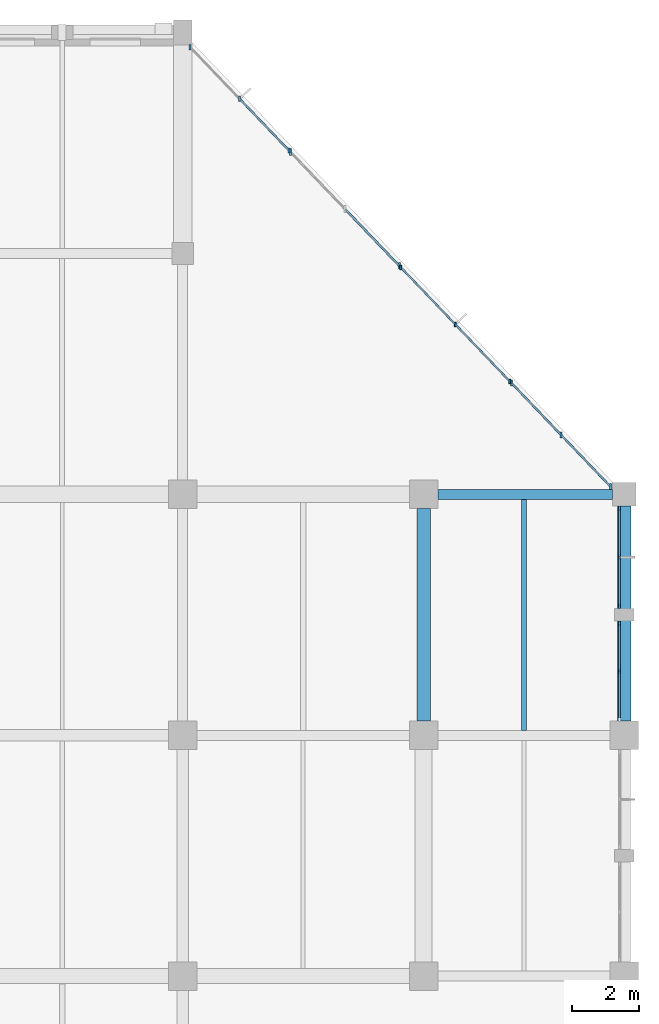
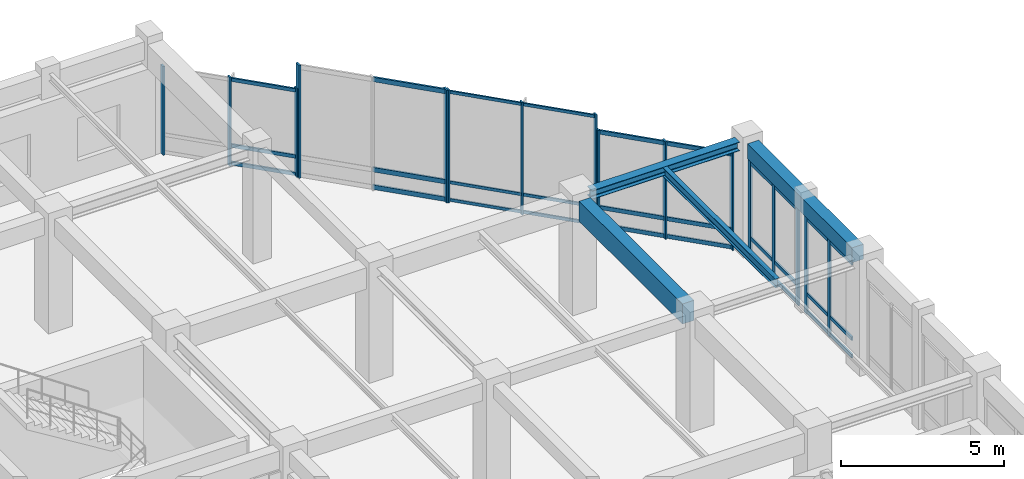
# One storey, part 29 of 62: 46 members, 4 beams, 6 elements without a shape of their own.
"""IFC4 building model written with IfcOpenShell, lengths in metres."""

from ifc_helpers import new_model, si_unit, direction, frame, origin, origin_2d, place, context, subcontext, project, spatial, rectangle, i_section, extrude, material, material_profile, profile_set, type_object, element, aggregate, save


model = new_model("IFC4")

# Units and contexts
model_context = context("Model", 3, precision=1e-05, world=origin(), true_north=direction((0.0, 1.0)))
body_context = subcontext(model_context, "Body", "Model", "MODEL_VIEW")
ifc_project = project(units=[si_unit("LENGTHUNIT", "METRE"), si_unit("AREAUNIT", "SQUARE_METRE"), si_unit("VOLUMEUNIT", "CUBIC_METRE"), si_unit("PLANEANGLEUNIT", "RADIAN"), si_unit("MASSUNIT", "GRAM", prefix="KILO")], contexts=[model_context])

# Site, building, storey
site_placement = place(None, origin())
site = spatial("IfcSite", under=ifc_project, at=site_placement, CompositionType="ELEMENT")
building_placement = place(site_placement, origin())
building = spatial("IfcBuilding", under=site, at=building_placement, Name="Clarverna Civic Hall", CompositionType="ELEMENT")
storey_placement = place(building_placement, frame((0.0, 0.0, 5.10009765625)))
storey = spatial("IfcBuildingStorey", under=building, at=storey_placement, Name="L01", CompositionType="ELEMENT", Elevation=5.10009765625)

# Beams
ifc_material_1 = material(Name="Concrete C35/45", Category="concrete")
ifc_material_profile_1 = material_profile(ifc_material_1, rectangle(XDim=0.39990234375, YDim=0.75, at=origin_2d()), Name="RC 400x750")
ifc_profile_set_1 = profile_set([ifc_material_profile_1], Name="Concrete C35/45")
beam_type_1 = type_object("IfcBeamType", Name="B-RC16", PredefinedType="BEAM", material=ifc_profile_set_1)
beam_1_placement = place(storey_placement, frame((162.0, 95.425048828125, 3.844970703125), z_axis=(0.0, 1.0, 0.0), x_axis=(-1.0, 0.0, 0.0)))
element("IfcBeam", 1, at=beam_1_placement, inside=storey, type_object=beam_type_1, Name="B-RC16-025", PredefinedType="BEAM", context=body_context, shape_type="SweptSolid", body=[
    extrude(rectangle(XDim=0.39990234375, YDim=0.75, at=origin_2d()), origin(), (0.0, 0.0, 1.0), 6.349853515625),
])
ifc_material_profile_2 = material_profile(ifc_material_1, rectangle(XDim=0.39990234375, YDim=0.56005859375, at=origin_2d()), Name="RC 400x560")
ifc_profile_set_2 = profile_set([ifc_material_profile_2], Name="Concrete C35/45")
beam_type_2 = type_object("IfcBeamType", Name="B-SP4", PredefinedType="SPANDREL", material=ifc_profile_set_2)
beam_2_placement = place(storey_placement, frame((168.0, 95.425048828125, 3.93994140625), z_axis=(0.0, 1.0, 0.0), x_axis=(-1.0, 0.0, 0.0)))
element("IfcBeam", 2, at=beam_2_placement, inside=storey, type_object=beam_type_2, Name="B-SP4-080", PredefinedType="SPANDREL", context=body_context, shape_type="SweptSolid", body=[
    extrude(rectangle(XDim=0.39990234375, YDim=0.56005859375, at=origin_2d()), origin(), (0.0, 0.0, 1.0), 6.425048828125),
])
ifc_material_2 = material(Name="Steel S355", Category="steel")
ifc_material_profile_3 = material_profile(ifc_material_2, i_section(OverallWidth=0.300048828125, OverallDepth=0.330078125, WebThickness=0.009521484375, FlangeThickness=0.0166015625, FilletRadius=0.027099609375, at=origin_2d()), Name="HEA 340")
ifc_profile_set_3 = profile_set([ifc_material_profile_3], Name="Steel S355")
beam_type_3 = type_object("IfcBeamType", Name="B-ST8", PredefinedType="BEAM", material=ifc_profile_set_3)
beam_3_placement = place(storey_placement, frame((162.425048828125, 102.199951171875, 4.054931640625), z_axis=(1.0, 0.0, 0.0), x_axis=(0.0, 1.0, 0.0)))
element("IfcBeam", 3, at=beam_3_placement, inside=storey, type_object=beam_type_3, Name="B-ST8-056", PredefinedType="BEAM", context=body_context, shape_type="SweptSolid", body=[
    extrude(i_section(OverallWidth=0.300048828125, OverallDepth=0.330078125, WebThickness=0.009521484375, FlangeThickness=0.0166015625, FilletRadius=0.027099609375, at=origin_2d()), origin(), (0.0, 0.0, 1.0), 5.224853515625),
])

# Curtain wall, members
ifc_material_3 = material(Name="Anodised Bronze Architectural Aluminium", Category="aluminium")
curtain_wall_type = type_object("IfcCurtainWallType", Name="CW-01", PredefinedType="USERDEFINED", material=ifc_material_3)
curtain_wall_1_placement = place(storey_placement, origin())
curtain_wall_1 = element("IfcCurtainWall", 4, at=curtain_wall_1_placement, inside=storey, type_object=curtain_wall_type, Name="CW-01-005", ObjectType="UNITISED CURTAIN WALL", PredefinedType="USERDEFINED")
ifc_material_profile_4 = material_profile(ifc_material_3, rectangle(XDim=0.06005859375, YDim=0.179931640625, at=origin_2d()), Name="BRONZE 60x180")
ifc_profile_set_4 = profile_set([ifc_material_profile_4], Name="Anodised Bronze Architectural Aluminium")
member_type_1 = type_object("IfcMemberType", Name="CWM-01", PredefinedType="MULLION", material=ifc_profile_set_4)
member_1_placement = place(storey_placement, frame((164.62158203125, 105.529296875, 0.0), z_axis=(0.0, 0.0, 1.0), x_axis=(1.0, 0.0, 0.0)))
member_1 = element("IfcMember", 5, at=member_1_placement, type_object=member_type_1, Name="CWM-01-041", PredefinedType="MULLION", context=body_context, shape_type="SweptSolid", body=[
    extrude(rectangle(XDim=0.06005859375, YDim=0.179931640625, at=origin_2d()), origin(), (0.0, 0.0, 1.0), 3.659912109375),
])
member_2_placement = place(storey_placement, frame((166.1044921875, 103.979248046875, 0.0), z_axis=(0.0, 0.0, 1.0), x_axis=(1.0, 0.0, 0.0)))
member_2 = element("IfcMember", 6, at=member_2_placement, type_object=member_type_1, Name="CWM-01-042", PredefinedType="MULLION", context=body_context, shape_type="SweptSolid", body=[
    extrude(rectangle(XDim=0.06005859375, YDim=0.179931640625, at=origin_2d()), origin(), (0.0, 0.0, 1.0), 3.659912109375),
])
member_3_placement = place(storey_placement, frame((167.587158203125, 102.428955078125, 0.0), z_axis=(0.0, 0.0, 1.0), x_axis=(1.0, 0.0, 0.0)))
member_3 = element("IfcMember", 7, at=member_3_placement, type_object=member_type_1, Name="CWM-01-043", PredefinedType="MULLION", context=body_context, shape_type="SweptSolid", body=[
    extrude(rectangle(XDim=0.06005859375, YDim=0.179931640625, at=origin_2d()), origin(), (0.0, 0.0, 1.0), 3.659912109375),
])

curtain_wall_2_placement = place(storey_placement, origin())
curtain_wall_2 = element("IfcCurtainWall", 8, at=curtain_wall_2_placement, inside=storey, type_object=curtain_wall_type, Name="CW-01-002", ObjectType="UNITISED CURTAIN WALL", PredefinedType="USERDEFINED")
ifc_material_profile_5 = material_profile(ifc_material_3, rectangle(XDim=0.06005859375, YDim=0.159912109375, at=origin_2d()), Name="BRONZE 60x160")
ifc_profile_set_5 = profile_set([ifc_material_profile_5], Name="Anodised Bronze Architectural Aluminium")
member_type_2 = type_object("IfcMemberType", Name="CWM-02", PredefinedType="MULLION", material=ifc_profile_set_5)
member_4_placement = place(storey_placement, frame((155.02587890625, 115.561279296875, 0.0), z_axis=(0.0, 0.0, 1.0), x_axis=(1.0, 0.0, 0.0)))
member_4 = element("IfcMember", 9, at=member_4_placement, type_object=member_type_2, Name="CWM-02-037", PredefinedType="MULLION", context=body_context, shape_type="SweptSolid", body=[
    extrude(rectangle(XDim=0.06005859375, YDim=0.159912109375, at=origin_2d()), origin(), (0.0, 0.0, 1.0), 3.31982421875),
])
member_5_placement = place(storey_placement, frame((156.5009765625, 114.01904296875, 0.0), z_axis=(0.0, 0.0, 1.0), x_axis=(1.0, 0.0, 0.0)))
member_5 = element("IfcMember", 10, at=member_5_placement, type_object=member_type_2, Name="CWM-02-038", PredefinedType="MULLION", context=body_context, shape_type="SweptSolid", body=[
    extrude(rectangle(XDim=0.06005859375, YDim=0.159912109375, at=origin_2d()), origin(), (0.0, 0.0, 1.0), 3.31982421875),
])
member_6_placement = place(storey_placement, frame((157.97607421875, 112.47705078125, 0.0), z_axis=(0.0, 0.0, 1.0), x_axis=(1.0, 0.0, 0.0)))
member_6 = element("IfcMember", 11, at=member_6_placement, type_object=member_type_2, Name="CWM-02-039", PredefinedType="MULLION", context=body_context, shape_type="SweptSolid", body=[
    extrude(rectangle(XDim=0.06005859375, YDim=0.159912109375, at=origin_2d()), origin(), (0.0, 0.0, 1.0), 3.31982421875),
])

curtain_wall_3_placement = place(storey_placement, origin())
curtain_wall_3 = element("IfcCurtainWall", 12, at=curtain_wall_3_placement, inside=storey, type_object=curtain_wall_type, Name="CW-01-006", ObjectType="UNITISED CURTAIN WALL", PredefinedType="USERDEFINED")
member_7_placement = place(storey_placement, frame((167.860107421875, 101.777099609375, 0.0), z_axis=(0.0, 0.0, 1.0), x_axis=(1.0, 0.0, 0.0)))
member_7 = element("IfcMember", 13, at=member_7_placement, type_object=member_type_2, Name="CWM-02-040", PredefinedType="MULLION", context=body_context, shape_type="SweptSolid", body=[
    extrude(rectangle(XDim=0.06005859375, YDim=0.159912109375, at=origin_2d()), origin(), (0.0, 0.0, 1.0), 3.659912109375),
])
member_8_placement = place(storey_placement, frame((167.860107421875, 100.320068359375, 0.0), z_axis=(0.0, 0.0, 1.0), x_axis=(1.0, 0.0, 0.0)))
member_8 = element("IfcMember", 14, at=member_8_placement, type_object=member_type_2, Name="CWM-02-041", PredefinedType="MULLION", context=body_context, shape_type="SweptSolid", body=[
    extrude(rectangle(XDim=0.06005859375, YDim=0.159912109375, at=origin_2d()), origin(), (0.0, 0.0, 1.0), 3.659912109375),
])
member_9_placement = place(storey_placement, frame((167.860107421875, 98.863037109375, 0.0), z_axis=(0.0, 0.0, 1.0), x_axis=(1.0, 0.0, 0.0)))
member_9 = element("IfcMember", 15, at=member_9_placement, type_object=member_type_2, Name="CWM-02-042", PredefinedType="MULLION", context=body_context, shape_type="SweptSolid", body=[
    extrude(rectangle(XDim=0.06005859375, YDim=0.159912109375, at=origin_2d()), origin(), (0.0, 0.0, 1.0), 3.659912109375),
])

curtain_wall_4_placement = place(storey_placement, origin())
curtain_wall_4 = element("IfcCurtainWall", 16, at=curtain_wall_4_placement, inside=storey, type_object=curtain_wall_type, Name="CW-01-007", ObjectType="UNITISED CURTAIN WALL", PredefinedType="USERDEFINED")
member_10_placement = place(storey_placement, frame((167.860107421875, 98.3369140625, 0.0), z_axis=(0.0, 0.0, 1.0), x_axis=(1.0, 0.0, 0.0)))
member_10 = element("IfcMember", 17, at=member_10_placement, type_object=member_type_2, Name="CWM-02-043", PredefinedType="MULLION", context=body_context, shape_type="SweptSolid", body=[
    extrude(rectangle(XDim=0.06005859375, YDim=0.159912109375, at=origin_2d()), origin(), (0.0, 0.0, 1.0), 3.659912109375),
])
member_11_placement = place(storey_placement, frame((167.860107421875, 96.91748046875, 0.0), z_axis=(0.0, 0.0, 1.0), x_axis=(1.0, 0.0, 0.0)))
member_11 = element("IfcMember", 18, at=member_11_placement, type_object=member_type_2, Name="CWM-02-044", PredefinedType="MULLION", context=body_context, shape_type="SweptSolid", body=[
    extrude(rectangle(XDim=0.06005859375, YDim=0.159912109375, at=origin_2d()), origin(), (0.0, 0.0, 1.0), 3.659912109375),
])

curtain_wall_5_placement = place(storey_placement, origin())
curtain_wall_5 = element("IfcCurtainWall", 19, at=curtain_wall_5_placement, inside=storey, type_object=curtain_wall_type, Name="CW-01-003", ObjectType="UNITISED CURTAIN WALL", PredefinedType="USERDEFINED")
ifc_material_profile_6 = material_profile(ifc_material_3, rectangle(XDim=0.06494140625, YDim=0.199951171875, at=origin_2d()), Name="BRONZE 65x200")
ifc_profile_set_6 = profile_set([ifc_material_profile_6], Name="Anodised Bronze Architectural Aluminium")
member_type_3 = type_object("IfcMemberType", Name="CWM-03", PredefinedType="MULLION", material=ifc_profile_set_6)
member_12_placement = place(storey_placement, frame((158.021484375, 112.429443359375, 0.0), z_axis=(0.0, 0.0, 1.0), x_axis=(1.0, 0.0, 0.0)))
member_12 = element("IfcMember", 20, at=member_12_placement, type_object=member_type_3, Name="CWM-03-038", PredefinedType="MULLION", context=body_context, shape_type="SweptSolid", body=[
    extrude(rectangle(XDim=0.06494140625, YDim=0.199951171875, at=origin_2d()), origin(), (0.0, 0.0, 1.0), 4.219970703125),
])
member_13_placement = place(storey_placement, frame((161.27587890625, 109.027099609375, 0.0), z_axis=(0.0, 0.0, 1.0), x_axis=(1.0, 0.0, 0.0)))
member_13 = element("IfcMember", 21, at=member_13_placement, type_object=member_type_3, Name="CWM-03-040", PredefinedType="MULLION", context=body_context, shape_type="SweptSolid", body=[
    extrude(rectangle(XDim=0.06494140625, YDim=0.199951171875, at=origin_2d()), origin(), (0.0, 0.0, 1.0), 4.219970703125),
])

curtain_wall_6_placement = place(storey_placement, origin())
curtain_wall_6 = element("IfcCurtainWall", 22, at=curtain_wall_6_placement, inside=storey, type_object=curtain_wall_type, Name="CW-01-004", ObjectType="UNITISED CURTAIN WALL", PredefinedType="USERDEFINED")
ifc_material_profile_7 = material_profile(ifc_material_3, rectangle(XDim=0.054931640625, YDim=0.139892578125, at=origin_2d()), Name="BRONZE 55x140")
ifc_profile_set_7 = profile_set([ifc_material_profile_7], Name="Anodised Bronze Architectural Aluminium")
member_type_4 = type_object("IfcMemberType", Name="CWM-04", PredefinedType="MULLION", material=ifc_profile_set_7)
member_14_placement = place(storey_placement, frame((161.321533203125, 108.9794921875, 0.0), z_axis=(0.0, 0.0, 1.0), x_axis=(1.0, 0.0, 0.0)))
member_14 = element("IfcMember", 23, at=member_14_placement, type_object=member_type_4, Name="CWM-04-039", PredefinedType="MULLION", context=body_context, shape_type="SweptSolid", body=[
    extrude(rectangle(XDim=0.054931640625, YDim=0.139892578125, at=origin_2d()), origin(), (0.0, 0.0, 1.0), 4.219970703125),
])
member_15_placement = place(storey_placement, frame((162.94873046875, 107.2783203125, 0.0), z_axis=(0.0, 0.0, 1.0), x_axis=(1.0, 0.0, 0.0)))
member_15 = element("IfcMember", 24, at=member_15_placement, type_object=member_type_4, Name="CWM-04-040", PredefinedType="MULLION", context=body_context, shape_type="SweptSolid", body=[
    extrude(rectangle(XDim=0.054931640625, YDim=0.139892578125, at=origin_2d()), origin(), (0.0, 0.0, 1.0), 4.219970703125),
])
member_16_placement = place(storey_placement, frame((164.575927734375, 105.576904296875, 0.0), z_axis=(0.0, 0.0, 1.0), x_axis=(1.0, 0.0, 0.0)))
member_16 = element("IfcMember", 25, at=member_16_placement, type_object=member_type_4, Name="CWM-04-041", PredefinedType="MULLION", context=body_context, shape_type="SweptSolid", body=[
    extrude(rectangle(XDim=0.054931640625, YDim=0.139892578125, at=origin_2d()), origin(), (0.0, 0.0, 1.0), 4.219970703125),
])

# Member
ifc_material_profile_8 = material_profile(ifc_material_3, rectangle(XDim=0.06005859375, YDim=0.14990234375, at=origin_2d()), Name="BRONZE 60x150")
ifc_profile_set_8 = profile_set([ifc_material_profile_8], Name="Anodised Bronze Architectural Aluminium")
member_type_5 = type_object("IfcMemberType", Name="CWT-01", PredefinedType="USERDEFINED", material=ifc_profile_set_8)
member_17_placement = place(storey_placement, frame((164.632080078125, 105.5185546875, 0.094970703125), z_axis=(0.691175471068, -0.722686978016, 0.0), x_axis=(0.722686978016, 0.691175471068, 0.0)))
member_17 = element("IfcMember", 26, at=member_17_placement, type_object=member_type_5, Name="CWT-01-085", ObjectType="TRANSOM", PredefinedType="USERDEFINED", context=body_context, shape_type="SweptSolid", body=[
    extrude(rectangle(XDim=0.06005859375, YDim=0.14990234375, at=origin_2d()), origin(), (0.0, 0.0, 1.0), 2.115234375),
])

member_18_placement = place(storey_placement, frame((164.632080078125, 105.5185546875, 0.75), z_axis=(0.691175471068, -0.722686978016, 0.0), x_axis=(0.722686978016, 0.691175471068, 0.0)))
member_18 = element("IfcMember", 27, at=member_18_placement, type_object=member_type_5, Name="CWT-01-086", ObjectType="TRANSOM", PredefinedType="USERDEFINED", context=body_context, shape_type="SweptSolid", body=[
    extrude(rectangle(XDim=0.06005859375, YDim=0.14990234375, at=origin_2d()), origin(), (0.0, 0.0, 1.0), 2.115234375),
])

member_19_placement = place(storey_placement, frame((164.632080078125, 105.5185546875, 3.56494140625), z_axis=(0.691175471068, -0.722686978016, 0.0), x_axis=(0.722686978016, 0.691175471068, 0.0)))
member_19 = element("IfcMember", 28, at=member_19_placement, type_object=member_type_5, Name="CWT-01-087", ObjectType="TRANSOM", PredefinedType="USERDEFINED", context=body_context, shape_type="SweptSolid", body=[
    extrude(rectangle(XDim=0.06005859375, YDim=0.14990234375, at=origin_2d()), origin(), (0.0, 0.0, 1.0), 2.115234375),
])

member_20_placement = place(storey_placement, frame((166.11474609375, 103.96826171875, 0.094970703125), z_axis=(0.691235748538, -0.722629324027, 0.0), x_axis=(0.722629324027, 0.691235748538, 0.0)))
member_20 = element("IfcMember", 29, at=member_20_placement, type_object=member_type_5, Name="CWT-01-088", ObjectType="TRANSOM", PredefinedType="USERDEFINED", context=body_context, shape_type="SweptSolid", body=[
    extrude(rectangle(XDim=0.06005859375, YDim=0.14990234375, at=origin_2d()), origin(), (0.0, 0.0, 1.0), 2.115234375),
])

member_21_placement = place(storey_placement, frame((166.11474609375, 103.96826171875, 0.75), z_axis=(0.691235748538, -0.722629324027, 0.0), x_axis=(0.722629324027, 0.691235748538, 0.0)))
member_21 = element("IfcMember", 30, at=member_21_placement, type_object=member_type_5, Name="CWT-01-089", ObjectType="TRANSOM", PredefinedType="USERDEFINED", context=body_context, shape_type="SweptSolid", body=[
    extrude(rectangle(XDim=0.06005859375, YDim=0.14990234375, at=origin_2d()), origin(), (0.0, 0.0, 1.0), 2.115234375),
])

member_22_placement = place(storey_placement, frame((166.11474609375, 103.96826171875, 3.56494140625), z_axis=(0.691235748538, -0.722629324027, 0.0), x_axis=(0.722629324027, 0.691235748538, 0.0)))
member_22 = element("IfcMember", 31, at=member_22_placement, type_object=member_type_5, Name="CWT-01-090", ObjectType="TRANSOM", PredefinedType="USERDEFINED", context=body_context, shape_type="SweptSolid", body=[
    extrude(rectangle(XDim=0.06005859375, YDim=0.14990234375, at=origin_2d()), origin(), (0.0, 0.0, 1.0), 2.115234375),
])

aggregate(curtain_wall_1, [member_1, member_2, member_3, member_17, member_18, member_19, member_20, member_21, member_22])

ifc_material_profile_9 = material_profile(ifc_material_3, rectangle(XDim=0.06005859375, YDim=0.1298828125, at=origin_2d()), Name="BRONZE 60x130")
ifc_profile_set_9 = profile_set([ifc_material_profile_9], Name="Anodised Bronze Architectural Aluminium")
member_type_6 = type_object("IfcMemberType", Name="CWT-02", PredefinedType="USERDEFINED", material=ifc_profile_set_9)
member_23_placement = place(storey_placement, frame((156.511474609375, 114.00830078125, 0.094970703125), z_axis=(0.691148870064, -0.722712418193, 0.0), x_axis=(0.722712418193, 0.691148870064, 0.0)))
member_23 = element("IfcMember", 32, at=member_23_placement, type_object=member_type_6, Name="CWT-02-079", ObjectType="TRANSOM", PredefinedType="USERDEFINED", context=body_context, shape_type="SweptSolid", body=[
    extrude(rectangle(XDim=0.06005859375, YDim=0.1298828125, at=origin_2d()), origin(), (0.0, 0.0, 1.0), 2.10400390625),
])

member_24_placement = place(storey_placement, frame((156.511474609375, 114.00830078125, 0.75), z_axis=(0.691148870064, -0.722712418193, 0.0), x_axis=(0.722712418193, 0.691148870064, 0.0)))
member_24 = element("IfcMember", 33, at=member_24_placement, type_object=member_type_6, Name="CWT-02-080", ObjectType="TRANSOM", PredefinedType="USERDEFINED", context=body_context, shape_type="SweptSolid", body=[
    extrude(rectangle(XDim=0.06005859375, YDim=0.1298828125, at=origin_2d()), origin(), (0.0, 0.0, 1.0), 2.10400390625),
])

member_25_placement = place(storey_placement, frame((156.511474609375, 114.00830078125, 3.224853515625), z_axis=(0.691148870064, -0.722712418193, 0.0), x_axis=(0.722712418193, 0.691148870064, 0.0)))
member_25 = element("IfcMember", 34, at=member_25_placement, type_object=member_type_6, Name="CWT-02-081", ObjectType="TRANSOM", PredefinedType="USERDEFINED", context=body_context, shape_type="SweptSolid", body=[
    extrude(rectangle(XDim=0.06005859375, YDim=0.1298828125, at=origin_2d()), origin(), (0.0, 0.0, 1.0), 2.10400390625),
])

aggregate(curtain_wall_2, [member_4, member_5, member_6, member_23, member_24, member_25])

member_26_placement = place(storey_placement, frame((167.860107421875, 101.761962890625, 0.094970703125), z_axis=(0.0, -1.0, 0.0), x_axis=(1.0, 0.0, 0.0)))
member_26 = element("IfcMember", 35, at=member_26_placement, type_object=member_type_6, Name="CWT-02-082", ObjectType="TRANSOM", PredefinedType="USERDEFINED", context=body_context, shape_type="SweptSolid", body=[
    extrude(rectangle(XDim=0.06005859375, YDim=0.1298828125, at=origin_2d()), origin(), (0.0, 0.0, 1.0), 1.427001953125),
])

member_27_placement = place(storey_placement, frame((167.860107421875, 101.761962890625, 0.75), z_axis=(0.0, -1.0, 0.0), x_axis=(1.0, 0.0, 0.0)))
member_27 = element("IfcMember", 36, at=member_27_placement, type_object=member_type_6, Name="CWT-02-083", ObjectType="TRANSOM", PredefinedType="USERDEFINED", context=body_context, shape_type="SweptSolid", body=[
    extrude(rectangle(XDim=0.06005859375, YDim=0.1298828125, at=origin_2d()), origin(), (0.0, 0.0, 1.0), 1.427001953125),
])

member_28_placement = place(storey_placement, frame((167.860107421875, 101.761962890625, 3.56494140625), z_axis=(0.0, -1.0, 0.0), x_axis=(1.0, 0.0, 0.0)))
member_28 = element("IfcMember", 37, at=member_28_placement, type_object=member_type_6, Name="CWT-02-084", ObjectType="TRANSOM", PredefinedType="USERDEFINED", context=body_context, shape_type="SweptSolid", body=[
    extrude(rectangle(XDim=0.06005859375, YDim=0.1298828125, at=origin_2d()), origin(), (0.0, 0.0, 1.0), 1.427001953125),
])

member_29_placement = place(storey_placement, frame((167.860107421875, 100.304931640625, 0.094970703125), z_axis=(0.0, -1.0, 0.0), x_axis=(1.0, 0.0, 0.0)))
member_29 = element("IfcMember", 38, at=member_29_placement, type_object=member_type_6, Name="CWT-02-085", ObjectType="TRANSOM", PredefinedType="USERDEFINED", context=body_context, shape_type="SweptSolid", body=[
    extrude(rectangle(XDim=0.06005859375, YDim=0.1298828125, at=origin_2d()), origin(), (0.0, 0.0, 1.0), 1.427001953125),
])

member_30_placement = place(storey_placement, frame((167.860107421875, 100.304931640625, 0.75), z_axis=(0.0, -1.0, 0.0), x_axis=(1.0, 0.0, 0.0)))
member_30 = element("IfcMember", 39, at=member_30_placement, type_object=member_type_6, Name="CWT-02-086", ObjectType="TRANSOM", PredefinedType="USERDEFINED", context=body_context, shape_type="SweptSolid", body=[
    extrude(rectangle(XDim=0.06005859375, YDim=0.1298828125, at=origin_2d()), origin(), (0.0, 0.0, 1.0), 1.427001953125),
])

member_31_placement = place(storey_placement, frame((167.860107421875, 100.304931640625, 3.56494140625), z_axis=(0.0, -1.0, 0.0), x_axis=(1.0, 0.0, 0.0)))
member_31 = element("IfcMember", 40, at=member_31_placement, type_object=member_type_6, Name="CWT-02-087", ObjectType="TRANSOM", PredefinedType="USERDEFINED", context=body_context, shape_type="SweptSolid", body=[
    extrude(rectangle(XDim=0.06005859375, YDim=0.1298828125, at=origin_2d()), origin(), (0.0, 0.0, 1.0), 1.427001953125),
])

aggregate(curtain_wall_3, [member_7, member_8, member_9, member_26, member_27, member_28, member_29, member_30, member_31])

member_32_placement = place(storey_placement, frame((167.860107421875, 98.322021484375, 0.094970703125), z_axis=(0.0, -1.0, 0.0), x_axis=(1.0, 0.0, 0.0)))
member_32 = element("IfcMember", 41, at=member_32_placement, type_object=member_type_6, Name="CWT-02-088", ObjectType="TRANSOM", PredefinedType="USERDEFINED", context=body_context, shape_type="SweptSolid", body=[
    extrude(rectangle(XDim=0.06005859375, YDim=0.1298828125, at=origin_2d()), origin(), (0.0, 0.0, 1.0), 1.389404296875),
])

member_33_placement = place(storey_placement, frame((167.860107421875, 98.322021484375, 0.75), z_axis=(0.0, -1.0, 0.0), x_axis=(1.0, 0.0, 0.0)))
member_33 = element("IfcMember", 42, at=member_33_placement, type_object=member_type_6, Name="CWT-02-089", ObjectType="TRANSOM", PredefinedType="USERDEFINED", context=body_context, shape_type="SweptSolid", body=[
    extrude(rectangle(XDim=0.06005859375, YDim=0.1298828125, at=origin_2d()), origin(), (0.0, 0.0, 1.0), 1.389404296875),
])

member_34_placement = place(storey_placement, frame((167.860107421875, 98.322021484375, 3.56494140625), z_axis=(0.0, -1.0, 0.0), x_axis=(1.0, 0.0, 0.0)))
member_34 = element("IfcMember", 43, at=member_34_placement, type_object=member_type_6, Name="CWT-02-090", ObjectType="TRANSOM", PredefinedType="USERDEFINED", context=body_context, shape_type="SweptSolid", body=[
    extrude(rectangle(XDim=0.06005859375, YDim=0.1298828125, at=origin_2d()), origin(), (0.0, 0.0, 1.0), 1.389404296875),
])

member_35_placement = place(storey_placement, frame((167.860107421875, 96.902587890625, 0.094970703125), z_axis=(0.0, -1.0, 0.0), x_axis=(1.0, 0.0, 0.0)))
member_35 = element("IfcMember", 44, at=member_35_placement, type_object=member_type_6, Name="CWT-02-091", ObjectType="TRANSOM", PredefinedType="USERDEFINED", context=body_context, shape_type="SweptSolid", body=[
    extrude(rectangle(XDim=0.06005859375, YDim=0.1298828125, at=origin_2d()), origin(), (0.0, 0.0, 1.0), 1.3896484375),
])

member_36_placement = place(storey_placement, frame((167.860107421875, 96.902587890625, 0.75), z_axis=(0.0, -1.0, 0.0), x_axis=(1.0, 0.0, 0.0)))
member_36 = element("IfcMember", 45, at=member_36_placement, type_object=member_type_6, Name="CWT-02-092", ObjectType="TRANSOM", PredefinedType="USERDEFINED", context=body_context, shape_type="SweptSolid", body=[
    extrude(rectangle(XDim=0.06005859375, YDim=0.1298828125, at=origin_2d()), origin(), (0.0, 0.0, 1.0), 1.3896484375),
])

member_37_placement = place(storey_placement, frame((167.860107421875, 96.902587890625, 3.56494140625), z_axis=(0.0, -1.0, 0.0), x_axis=(1.0, 0.0, 0.0)))
member_37 = element("IfcMember", 46, at=member_37_placement, type_object=member_type_6, Name="CWT-02-093", ObjectType="TRANSOM", PredefinedType="USERDEFINED", context=body_context, shape_type="SweptSolid", body=[
    extrude(rectangle(XDim=0.06005859375, YDim=0.1298828125, at=origin_2d()), origin(), (0.0, 0.0, 1.0), 1.3896484375),
])

aggregate(curtain_wall_4, [member_10, member_11, member_32, member_33, member_34, member_35, member_36, member_37])

ifc_material_profile_10 = material_profile(ifc_material_3, rectangle(XDim=0.06494140625, YDim=0.169921875, at=origin_2d()), Name="BRONZE 65x170")
ifc_profile_set_10 = profile_set([ifc_material_profile_10], Name="Anodised Bronze Architectural Aluminium")
member_type_7 = type_object("IfcMemberType", Name="CWT-03", PredefinedType="USERDEFINED", material=ifc_profile_set_10)
member_38_placement = place(storey_placement, frame((159.6591796875, 110.71728515625, 0.094970703125), z_axis=(0.691227416228, -0.72263729426, 0.0), x_axis=(0.72263729426, 0.691227416228, 0.0)))
member_38 = element("IfcMember", 47, at=member_38_placement, type_object=member_type_7, Name="CWT-03-082", ObjectType="TRANSOM", PredefinedType="USERDEFINED", context=body_context, shape_type="SweptSolid", body=[
    extrude(rectangle(XDim=0.06494140625, YDim=0.169921875, at=origin_2d()), origin(), (0.0, 0.0, 1.0), 2.323974609375),
])

member_39_placement = place(storey_placement, frame((159.6591796875, 110.71728515625, 0.75), z_axis=(0.691227416228, -0.72263729426, 0.0), x_axis=(0.72263729426, 0.691227416228, 0.0)))
member_39 = element("IfcMember", 48, at=member_39_placement, type_object=member_type_7, Name="CWT-03-083", ObjectType="TRANSOM", PredefinedType="USERDEFINED", context=body_context, shape_type="SweptSolid", body=[
    extrude(rectangle(XDim=0.06494140625, YDim=0.169921875, at=origin_2d()), origin(), (0.0, 0.0, 1.0), 2.323974609375),
])

member_40_placement = place(storey_placement, frame((159.6591796875, 110.71728515625, 4.125), z_axis=(0.691227416228, -0.72263729426, 0.0), x_axis=(0.72263729426, 0.691227416228, 0.0)))
member_40 = element("IfcMember", 49, at=member_40_placement, type_object=member_type_7, Name="CWT-03-084", ObjectType="TRANSOM", PredefinedType="USERDEFINED", context=body_context, shape_type="SweptSolid", body=[
    extrude(rectangle(XDim=0.06494140625, YDim=0.169921875, at=origin_2d()), origin(), (0.0, 0.0, 1.0), 2.323974609375),
])

aggregate(curtain_wall_5, [member_12, member_13, member_38, member_39, member_40])

ifc_material_profile_11 = material_profile(ifc_material_3, rectangle(XDim=0.054931640625, YDim=0.110107421875, at=origin_2d()), Name="BRONZE 55x110")
ifc_profile_set_11 = profile_set([ifc_material_profile_11], Name="Anodised Bronze Architectural Aluminium")
member_type_8 = type_object("IfcMemberType", Name="CWT-04", PredefinedType="USERDEFINED", material=ifc_profile_set_11)
member_41_placement = place(storey_placement, frame((161.33203125, 108.968505859375, 0.094970703125), z_axis=(0.691227416228, -0.72263729426, 0.0), x_axis=(0.72263729426, 0.691227416228, 0.0)))
member_41 = element("IfcMember", 50, at=member_41_placement, type_object=member_type_8, Name="CWT-04-082", ObjectType="TRANSOM", PredefinedType="USERDEFINED", context=body_context, shape_type="SweptSolid", body=[
    extrude(rectangle(XDim=0.054931640625, YDim=0.110107421875, at=origin_2d()), origin(), (0.0, 0.0, 1.0), 2.323974609375),
])

member_42_placement = place(storey_placement, frame((161.33203125, 108.968505859375, 0.75), z_axis=(0.691227416228, -0.72263729426, 0.0), x_axis=(0.72263729426, 0.691227416228, 0.0)))
member_42 = element("IfcMember", 51, at=member_42_placement, type_object=member_type_8, Name="CWT-04-083", ObjectType="TRANSOM", PredefinedType="USERDEFINED", context=body_context, shape_type="SweptSolid", body=[
    extrude(rectangle(XDim=0.054931640625, YDim=0.110107421875, at=origin_2d()), origin(), (0.0, 0.0, 1.0), 2.323974609375),
])

member_43_placement = place(storey_placement, frame((161.33203125, 108.968505859375, 4.125), z_axis=(0.691227416228, -0.72263729426, 0.0), x_axis=(0.72263729426, 0.691227416228, 0.0)))
member_43 = element("IfcMember", 52, at=member_43_placement, type_object=member_type_8, Name="CWT-04-084", ObjectType="TRANSOM", PredefinedType="USERDEFINED", context=body_context, shape_type="SweptSolid", body=[
    extrude(rectangle(XDim=0.054931640625, YDim=0.110107421875, at=origin_2d()), origin(), (0.0, 0.0, 1.0), 2.323974609375),
])

member_44_placement = place(storey_placement, frame((162.959228515625, 107.267333984375, 0.094970703125), z_axis=(0.691227416228, -0.72263729426, 0.0), x_axis=(0.72263729426, 0.691227416228, 0.0)))
member_44 = element("IfcMember", 53, at=member_44_placement, type_object=member_type_8, Name="CWT-04-085", ObjectType="TRANSOM", PredefinedType="USERDEFINED", context=body_context, shape_type="SweptSolid", body=[
    extrude(rectangle(XDim=0.054931640625, YDim=0.110107421875, at=origin_2d()), origin(), (0.0, 0.0, 1.0), 2.323974609375),
])

member_45_placement = place(storey_placement, frame((162.959228515625, 107.267333984375, 0.75), z_axis=(0.691227416228, -0.72263729426, 0.0), x_axis=(0.72263729426, 0.691227416228, 0.0)))
member_45 = element("IfcMember", 54, at=member_45_placement, type_object=member_type_8, Name="CWT-04-086", ObjectType="TRANSOM", PredefinedType="USERDEFINED", context=body_context, shape_type="SweptSolid", body=[
    extrude(rectangle(XDim=0.054931640625, YDim=0.110107421875, at=origin_2d()), origin(), (0.0, 0.0, 1.0), 2.323974609375),
])

member_46_placement = place(storey_placement, frame((162.959228515625, 107.267333984375, 4.125), z_axis=(0.691227416228, -0.72263729426, 0.0), x_axis=(0.72263729426, 0.691227416228, 0.0)))
member_46 = element("IfcMember", 55, at=member_46_placement, type_object=member_type_8, Name="CWT-04-087", ObjectType="TRANSOM", PredefinedType="USERDEFINED", context=body_context, shape_type="SweptSolid", body=[
    extrude(rectangle(XDim=0.054931640625, YDim=0.110107421875, at=origin_2d()), origin(), (0.0, 0.0, 1.0), 2.323974609375),
])

aggregate(curtain_wall_6, [member_14, member_15, member_16, member_41, member_42, member_43, member_44, member_45, member_46])

# Beam
ifc_material_profile_12 = material_profile(ifc_material_2, i_section(OverallWidth=0.159912109375, OverallDepth=0.330078125, WebThickness=0.007568359375, FlangeThickness=0.011474609375, FilletRadius=0.01806640625, at=origin_2d()), Name="IPE 330")
ifc_profile_set_12 = profile_set([ifc_material_profile_12], Name="Steel S355")
beam_type_4 = type_object("IfcBeamType", Name="J-ST2", PredefinedType="JOIST", material=ifc_profile_set_12)
beam_4_placement = place(storey_placement, frame((165.0, 95.14990234375, 4.054931640625), z_axis=(0.0, 1.0, 0.0), x_axis=(-1.0, 0.0, 0.0)))
element("IfcBeam", 56, at=beam_4_placement, inside=storey, type_object=beam_type_4, Name="J-ST2-045", PredefinedType="JOIST", context=body_context, shape_type="SweptSolid", body=[
    extrude(i_section(OverallWidth=0.159912109375, OverallDepth=0.330078125, WebThickness=0.007568359375, FlangeThickness=0.011474609375, FilletRadius=0.01806640625, at=origin_2d()), origin(), (0.0, 0.0, 1.0), 6.900146484375),
])

save(model, "model.ifc")
